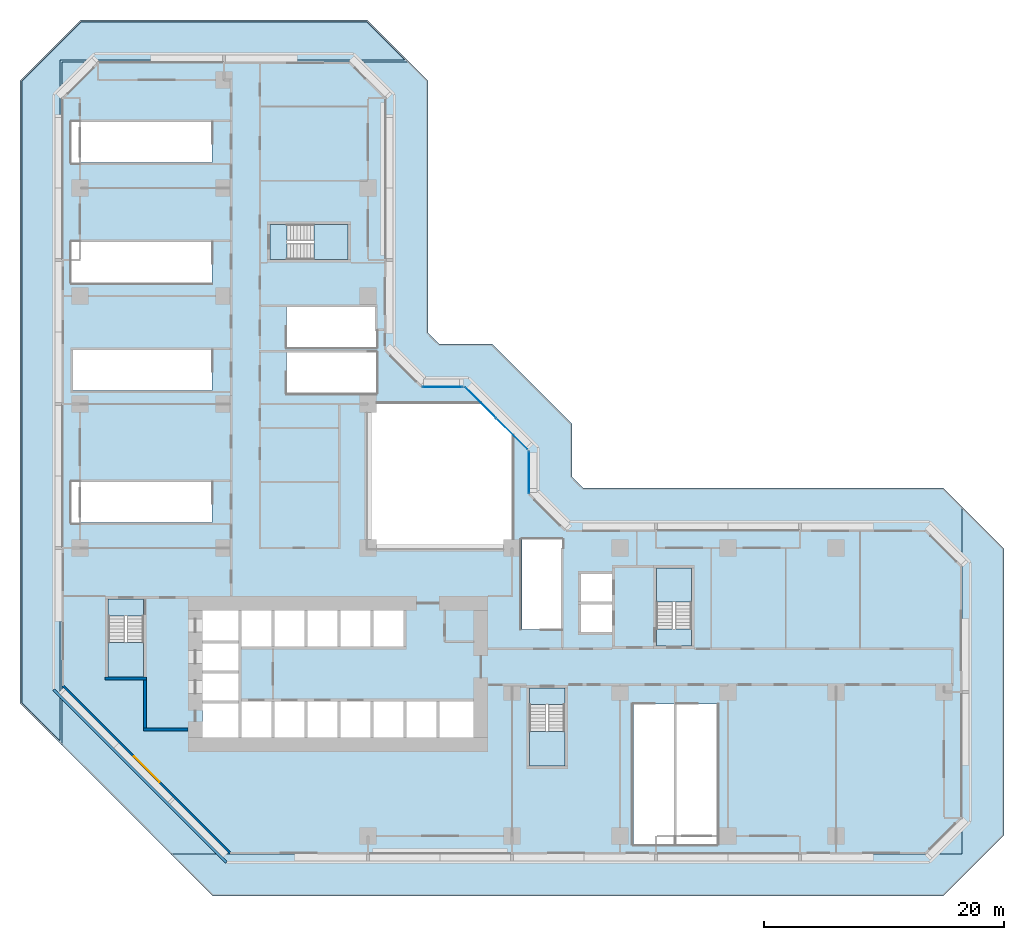
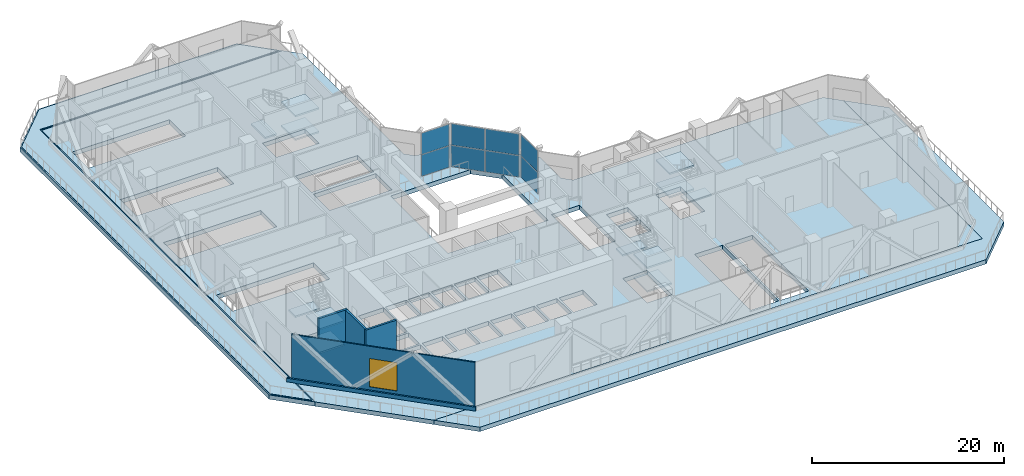
# One storey, part 3 of 16: 16 slabs, 8 plates, 5 walls, 1 window, 1 opening, 7 elements without a shape of their own.
"""IFC4 building model written with IfcOpenShell, lengths in metres."""

from ifc_helpers import new_model, si_unit, direction, frame, frame_2d, origin, origin_2d, place, context, subcontext, project, spatial, polyline, rectangle, outline, extrude, material, layer, layer_set, type_object, element, fill, aggregate, save


model = new_model("IFC4")

# Units and contexts
model_context = context("Model", 3, precision=1e-05, world=origin(), true_north=direction((0.0, 1.0)))
body_context = subcontext(model_context, "Body", "Model", "MODEL_VIEW")
ifc_project = project(units=[si_unit("LENGTHUNIT", "METRE"), si_unit("AREAUNIT", "SQUARE_METRE"), si_unit("VOLUMEUNIT", "CUBIC_METRE"), si_unit("PLANEANGLEUNIT", "RADIAN"), si_unit("MASSUNIT", "GRAM", prefix="KILO")], contexts=[model_context])

# Site, building, storey
site_placement = place(None, origin())
site = spatial("IfcSite", under=ifc_project, at=site_placement, CompositionType="ELEMENT")
building_placement = place(site_placement, origin())
building = spatial("IfcBuilding", under=site, at=building_placement, Name="Chenar Terraces", CompositionType="ELEMENT")
storey_placement = place(building_placement, frame((0.0, 0.0, 35.39990234375)))
storey = spatial("IfcBuildingStorey", under=building, at=storey_placement, Name="L06", CompositionType="ELEMENT", Elevation=35.39990234375)

# Curtain wall, plates
ifc_material_1 = material(Name="Aluminium framed glazing", Category="aluminium")
ifc_layer_1 = layer(ifc_material_1, 0.14990234375)
ifc_layer_set_1 = layer_set([ifc_layer_1], Name="Aluminium framed glazing")
curtain_wall_type = type_object("IfcCurtainWallType", Name="Atrium curtain wall", PredefinedType="NOTDEFINED", material=ifc_layer_set_1)
placement_1 = place(storey_placement, origin())
curtain_wall_1 = element("IfcCurtainWall", 1, at=placement_1, inside=storey, type_object=curtain_wall_type, Name="Atrium curtain wall", PredefinedType="NOTDEFINED")
ifc_material_2 = material(Name="Low emissivity laminated glass, solar control coating", Category="glass")
ifc_layer_2 = layer(ifc_material_2, 0.028076171875)
ifc_layer_set_2 = layer_set([ifc_layer_2], Name="Low emissivity laminated glass, solar control coating")
plate_type = type_object("IfcPlateType", Name="Atrium glazing panel 28", PredefinedType="CURTAIN_PANEL", material=ifc_layer_set_2)
plate_1_placement = place(storey_placement, frame((37.425048828125, 30.300048828125, 0.06005859375), z_axis=(0.0, 0.0, 1.0), x_axis=(0.0, 1.0, 0.0)))
plate_1 = element("IfcPlate", 2, at=plate_1_placement, type_object=plate_type, Name="CW1-1 panel 1.1", PredefinedType="CURTAIN_PANEL", context=body_context, shape_type="SweptSolid", body=[
    extrude(rectangle(XDim=3.47998046875, YDim=0.028076171875, at=origin_2d()), origin(), (0.0, 0.0, 1.0), 2.7099609375),
])
plate_2_placement = place(storey_placement, frame((37.425048828125, 30.300048828125, 2.830078125), z_axis=(0.0, 0.0, 1.0), x_axis=(0.0, 1.0, 0.0)))
plate_2 = element("IfcPlate", 3, at=plate_2_placement, type_object=plate_type, Name="CW1-1 panel 1.2", PredefinedType="CURTAIN_PANEL", context=body_context, shape_type="SweptSolid", body=[
    extrude(rectangle(XDim=3.47998046875, YDim=0.028076171875, at=origin_2d()), origin(), (0.0, 0.0, 1.0), 2.7099609375),
])
aggregate(curtain_wall_1, [plate_1, plate_2])

curtain_wall_2 = element("IfcCurtainWall", 4, at=placement_1, inside=storey, type_object=curtain_wall_type, Name="Atrium curtain wall", PredefinedType="NOTDEFINED")
plate_3_placement = place(storey_placement, frame((35.980224609375, 33.513671875, 0.06005859375), z_axis=(0.0, 0.0, 1.0), x_axis=(-0.707106781187, 0.707106781187, 0.0)))
plate_3 = element("IfcPlate", 5, at=plate_3_placement, type_object=plate_type, Name="CW1-2 panel 1.1", PredefinedType="CURTAIN_PANEL", context=body_context, shape_type="SweptSolid", body=[
    extrude(rectangle(XDim=3.62841796875, YDim=0.028076171875, at=origin_2d()), origin(), (0.0, 0.0, 1.0), 2.7099609375),
])
plate_4_placement = place(storey_placement, frame((35.980224609375, 33.513671875, 2.830078125), z_axis=(0.0, 0.0, 1.0), x_axis=(-0.707106781187, 0.707106781187, 0.0)))
plate_4 = element("IfcPlate", 6, at=plate_4_placement, type_object=plate_type, Name="CW1-2 panel 1.2", PredefinedType="CURTAIN_PANEL", context=body_context, shape_type="SweptSolid", body=[
    extrude(rectangle(XDim=3.62841796875, YDim=0.028076171875, at=origin_2d()), origin(), (0.0, 0.0, 1.0), 2.7099609375),
])
plate_5_placement = place(storey_placement, frame((33.3720703125, 36.121826171875, 0.06005859375), z_axis=(0.0, 0.0, 1.0), x_axis=(-0.707106781187, 0.707106781187, 0.0)))
plate_5 = element("IfcPlate", 7, at=plate_5_placement, type_object=plate_type, Name="CW1-2 panel 2.1", PredefinedType="CURTAIN_PANEL", context=body_context, shape_type="SweptSolid", body=[
    extrude(rectangle(XDim=3.62841796875, YDim=0.028076171875, at=origin_2d()), origin(), (0.0, 0.0, 1.0), 2.7099609375),
])
plate_6_placement = place(storey_placement, frame((33.3720703125, 36.121826171875, 2.830078125), z_axis=(0.0, 0.0, 1.0), x_axis=(-0.707106781187, 0.707106781187, 0.0)))
plate_6 = element("IfcPlate", 8, at=plate_6_placement, type_object=plate_type, Name="CW1-2 panel 2.2", PredefinedType="CURTAIN_PANEL", context=body_context, shape_type="SweptSolid", body=[
    extrude(rectangle(XDim=3.62841796875, YDim=0.028076171875, at=origin_2d()), origin(), (0.0, 0.0, 1.0), 2.7099609375),
])
aggregate(curtain_wall_2, [plate_3, plate_4, plate_5, plate_6])

curtain_wall_3 = element("IfcCurtainWall", 9, at=placement_1, inside=storey, type_object=curtain_wall_type, Name="Atrium curtain wall", PredefinedType="NOTDEFINED")
plate_7_placement = place(storey_placement, frame((30.199951171875, 37.425048828125, 0.06005859375), z_axis=(0.0, 0.0, 1.0), x_axis=(-1.0, 0.0, 0.0)))
plate_7 = element("IfcPlate", 10, at=plate_7_placement, type_object=plate_type, Name="CW1-3 panel 1.1", PredefinedType="CURTAIN_PANEL", context=body_context, shape_type="SweptSolid", body=[
    extrude(rectangle(XDim=3.280029296875, YDim=0.028076171875, at=origin_2d()), origin(), (0.0, 0.0, 1.0), 2.7099609375),
])
plate_8_placement = place(storey_placement, frame((30.199951171875, 37.425048828125, 2.830078125), z_axis=(0.0, 0.0, 1.0), x_axis=(-1.0, 0.0, 0.0)))
plate_8 = element("IfcPlate", 11, at=plate_8_placement, type_object=plate_type, Name="CW1-3 panel 1.2", PredefinedType="CURTAIN_PANEL", context=body_context, shape_type="SweptSolid", body=[
    extrude(rectangle(XDim=3.280029296875, YDim=0.028076171875, at=origin_2d()), origin(), (0.0, 0.0, 1.0), 2.7099609375),
])
aggregate(curtain_wall_3, [plate_7, plate_8])

# Stair, slabs
ifc_material_3 = material(Name="Reinforced concrete C40/50", Category="concrete")
stair_type = type_object("IfcStairType", Name="Core stair 1400 half-turn", PredefinedType="HALF_TURN_STAIR", material=ifc_material_3)
stair_1 = element("IfcStair", 12, at=placement_1, inside=storey, type_object=stair_type, Name="L06 Stair 1", PredefinedType="HALF_TURN_STAIR")
ifc_material_4 = material(Name="Reinforced concrete C40/50", Category="concrete")
ifc_layer_3 = layer(ifc_material_4, 0.199951171875)
ifc_layer_set_3 = layer_set([ifc_layer_3], Name="Reinforced concrete C40/50")
slab_type_1 = type_object("IfcSlabType", Name="Core stair landing 200", PredefinedType="LANDING", material=ifc_layer_set_3)
placement_2 = place(storey_placement, frame((0.0, 0.0, 1.300048828125)))
slab_1 = element("IfcSlab", 13, at=placement_2, type_object=slab_type_1, Name="ST1 landing 1", PredefinedType="LANDING", context=body_context, shape_type="SweptSolid", body=[
    extrude(outline(polyline([(2.35009765625, 16.110107421875), (2.35009765625, 13.25), (5.300048828125, 13.25), (5.300048828125, 16.110107421875), (2.35009765625, 16.110107421875)])), origin(), (0.0, 0.0, 1.0), 0.199951171875),
])
placement_3 = place(storey_placement, frame((0.0, 0.0, 2.800048828125)))
slab_2 = element("IfcSlab", 14, at=placement_3, type_object=slab_type_1, Name="ST1 landing 2", PredefinedType="LANDING", context=body_context, shape_type="SweptSolid", body=[
    extrude(outline(polyline([(2.35009765625, 19.75), (2.35009765625, 18.35009765625), (5.300048828125, 18.35009765625), (5.300048828125, 19.75), (2.35009765625, 19.75)])), origin(), (0.0, 0.0, 1.0), 0.199951171875),
])
placement_4 = place(storey_placement, frame((0.0, 0.0, 4.300048828125)))
slab_3 = element("IfcSlab", 15, at=placement_4, type_object=slab_type_1, Name="ST1 landing 3", PredefinedType="LANDING", context=body_context, shape_type="SweptSolid", body=[
    extrude(outline(polyline([(2.35009765625, 16.110107421875), (2.35009765625, 13.25), (5.300048828125, 13.25), (5.300048828125, 16.110107421875), (2.35009765625, 16.110107421875)])), origin(), (0.0, 0.0, 1.0), 0.199951171875),
])
aggregate(stair_1, [slab_1, slab_2, slab_3])

stair_2 = element("IfcStair", 16, at=placement_1, inside=storey, type_object=stair_type, Name="L06 Stair 2", PredefinedType="HALF_TURN_STAIR")
slab_4 = element("IfcSlab", 17, at=placement_2, type_object=slab_type_1, Name="ST2 landing 1", PredefinedType="LANDING", context=body_context, shape_type="SweptSolid", body=[
    extrude(outline(polyline([(37.449951171875, 8.7099609375), (37.449951171875, 5.85009765625), (40.39990234375, 5.85009765625), (40.39990234375, 8.7099609375), (37.449951171875, 8.7099609375)])), origin(), (0.0, 0.0, 1.0), 0.199951171875),
])
slab_5 = element("IfcSlab", 18, at=placement_3, type_object=slab_type_1, Name="ST2 landing 2", PredefinedType="LANDING", context=body_context, shape_type="SweptSolid", body=[
    extrude(outline(polyline([(37.449951171875, 12.35009765625), (37.449951171875, 10.949951171875), (40.39990234375, 10.949951171875), (40.39990234375, 12.35009765625), (37.449951171875, 12.35009765625)])), origin(), (0.0, 0.0, 1.0), 0.199951171875),
])
slab_6 = element("IfcSlab", 19, at=placement_4, type_object=slab_type_1, Name="ST2 landing 3", PredefinedType="LANDING", context=body_context, shape_type="SweptSolid", body=[
    extrude(outline(polyline([(37.449951171875, 8.7099609375), (37.449951171875, 5.85009765625), (40.39990234375, 5.85009765625), (40.39990234375, 8.7099609375), (37.449951171875, 8.7099609375)])), origin(), (0.0, 0.0, 1.0), 0.199951171875),
])
aggregate(stair_2, [slab_4, slab_5, slab_6])

stair_3 = element("IfcStair", 20, at=placement_1, inside=storey, type_object=stair_type, Name="L06 Stair 3", PredefinedType="HALF_TURN_STAIR")
slab_7 = element("IfcSlab", 21, at=placement_2, type_object=slab_type_1, Name="ST3 landing 1", PredefinedType="LANDING", context=body_context, shape_type="SweptSolid", body=[
    extrude(outline(polyline([(50.97509765625, 19.489990234375), (50.97509765625, 22.35009765625), (48.02490234375, 22.35009765625), (48.02490234375, 19.489990234375), (50.97509765625, 19.489990234375)])), origin(), (0.0, 0.0, 1.0), 0.199951171875),
])
slab_8 = element("IfcSlab", 22, at=placement_3, type_object=slab_type_1, Name="ST3 landing 2", PredefinedType="LANDING", context=body_context, shape_type="SweptSolid", body=[
    extrude(outline(polyline([(50.97509765625, 15.85009765625), (50.97509765625, 17.25), (48.02490234375, 17.25), (48.02490234375, 15.85009765625), (50.97509765625, 15.85009765625)])), origin(), (0.0, 0.0, 1.0), 0.199951171875),
])
slab_9 = element("IfcSlab", 23, at=placement_4, type_object=slab_type_1, Name="ST3 landing 3", PredefinedType="LANDING", context=body_context, shape_type="SweptSolid", body=[
    extrude(outline(polyline([(50.97509765625, 19.489990234375), (50.97509765625, 22.35009765625), (48.02490234375, 22.35009765625), (48.02490234375, 19.489990234375), (50.97509765625, 19.489990234375)])), origin(), (0.0, 0.0, 1.0), 0.199951171875),
])
aggregate(stair_3, [slab_7, slab_8, slab_9])

stair_4 = element("IfcStair", 24, at=placement_1, inside=storey, type_object=stair_type, Name="L06 Stair 4", PredefinedType="HALF_TURN_STAIR")
slab_10 = element("IfcSlab", 25, at=placement_2, type_object=slab_type_1, Name="ST4 landing 1", PredefinedType="LANDING", context=body_context, shape_type="SweptSolid", body=[
    extrude(outline(polyline([(19.489990234375, 48.02490234375), (22.35009765625, 48.02490234375), (22.35009765625, 50.97509765625), (19.489990234375, 50.97509765625), (19.489990234375, 48.02490234375)])), origin(), (0.0, 0.0, 1.0), 0.199951171875),
])
slab_11 = element("IfcSlab", 26, at=placement_3, type_object=slab_type_1, Name="ST4 landing 2", PredefinedType="LANDING", context=body_context, shape_type="SweptSolid", body=[
    extrude(outline(polyline([(15.85009765625, 48.02490234375), (17.25, 48.02490234375), (17.25, 50.97509765625), (15.85009765625, 50.97509765625), (15.85009765625, 48.02490234375)])), origin(), (0.0, 0.0, 1.0), 0.199951171875),
])
slab_12 = element("IfcSlab", 27, at=placement_4, type_object=slab_type_1, Name="ST4 landing 3", PredefinedType="LANDING", context=body_context, shape_type="SweptSolid", body=[
    extrude(outline(polyline([(19.489990234375, 48.02490234375), (22.35009765625, 48.02490234375), (22.35009765625, 50.97509765625), (19.489990234375, 50.97509765625), (19.489990234375, 48.02490234375)])), origin(), (0.0, 0.0, 1.0), 0.199951171875),
])
aggregate(stair_4, [slab_10, slab_11, slab_12])

# Slabs
ifc_material_5 = material(Name="Concrete C40/50", Category="concrete")
ifc_layer_4 = layer(ifc_material_5, 0.550048828125)
ifc_layer_set_4 = layer_set([ifc_layer_4], Name="Concrete C40/50")
slab_type_2 = type_object("IfcSlabType", Name="Floor slab 550 Concrete C40/50", PredefinedType="FLOOR", material=ifc_layer_set_4)
placement_5 = place(storey_placement, frame((0.0, 0.0, -0.5498046875)))
element("IfcSlab", 28, at=placement_5, inside=storey, type_object=slab_type_2, Name="Floor slab L06", PredefinedType="FLOOR", context=body_context, shape_type="SweptSolid", body=[
    extrude(outline(polyline([(-1.498046875, 12.498046875), (-1.498046875, 61.501953125), (-1.5, 61.5), (-1.5, 64.5), (1.5, 64.5), (1.498046875, 64.498046875), (22.501953125, 64.498046875), (22.5, 64.5), (27.44970703125, 64.5), (29.0, 62.94970703125), (29.0, 41.94970703125), (29.94970703125, 41.0), (34.349609375, 41.0), (41.0, 34.349609375), (41.0, 29.94970703125), (41.94970703125, 29.0), (71.94970703125, 29.0), (73.5, 27.44970703125), (73.5, 22.5), (73.498046875, 22.501953125), (73.498046875, 1.498046875), (73.5, 1.5), (73.5, -1.5), (70.5, -1.5), (70.501953125, -1.498046875), (12.498046875, -1.498046875), (12.5, -1.5), (7.55029296875, -1.5), (-1.5, 7.55029296875), (-1.5, 12.5), (-1.498046875, 12.498046875)]), holes=[polyline([(13.199951171875, 8.199951171875), (13.199951171875, 11.050048828125), (10.199951171875, 11.050048828125), (10.199951171875, 8.199951171875), (13.199951171875, 8.199951171875)]), polyline([(15.949951171875, 8.199951171875), (15.949951171875, 11.199951171875), (13.449951171875, 11.199951171875), (13.449951171875, 8.199951171875), (15.949951171875, 8.199951171875)]), polyline([(18.699951171875, 8.199951171875), (18.699951171875, 11.199951171875), (16.199951171875, 11.199951171875), (16.199951171875, 8.199951171875), (18.699951171875, 8.199951171875)]), polyline([(21.449951171875, 8.199951171875), (21.449951171875, 11.199951171875), (18.949951171875, 11.199951171875), (18.949951171875, 8.199951171875), (21.449951171875, 8.199951171875)]), polyline([(13.199951171875, 11.300048828125), (13.199951171875, 13.550048828125), (10.199951171875, 13.550048828125), (10.199951171875, 11.300048828125), (13.199951171875, 11.300048828125)]), polyline([(13.199951171875, 13.800048828125), (13.199951171875, 16.050048828125), (10.199951171875, 16.050048828125), (10.199951171875, 13.800048828125), (13.199951171875, 13.800048828125)]), polyline([(2.35009765625, 18.35009765625), (2.35009765625, 13.25), (5.300048828125, 13.25), (5.300048828125, 18.35009765625), (2.35009765625, 18.35009765625)]), polyline([(15.949951171875, 15.800048828125), (15.949951171875, 18.800048828125), (13.449951171875, 18.800048828125), (13.449951171875, 15.800048828125), (15.949951171875, 15.800048828125)]), polyline([(18.699951171875, 15.800048828125), (18.699951171875, 18.800048828125), (16.199951171875, 18.800048828125), (16.199951171875, 15.800048828125), (18.699951171875, 15.800048828125)]), polyline([(21.449951171875, 15.800048828125), (21.449951171875, 18.800048828125), (18.949951171875, 18.800048828125), (18.949951171875, 15.800048828125), (21.449951171875, 15.800048828125)]), polyline([(13.199951171875, 16.300048828125), (13.199951171875, 18.800048828125), (10.199951171875, 18.800048828125), (10.199951171875, 16.300048828125), (13.199951171875, 16.300048828125)]), polyline([(10.985107421875, 29.489990234375), (-0.699951171875, 29.489990234375), (-0.699951171875, 26.110107421875), (10.985107421875, 26.110107421875), (10.985107421875, 29.489990234375)]), polyline([(10.985107421875, 40.489990234375), (-0.699951171875, 40.489990234375), (-0.699951171875, 37.110107421875), (10.985107421875, 37.110107421875), (10.985107421875, 40.489990234375)]), polyline([(10.985107421875, 49.489990234375), (-0.699951171875, 49.489990234375), (-0.699951171875, 46.110107421875), (10.985107421875, 46.110107421875), (10.985107421875, 49.489990234375)]), polyline([(17.25, 48.02490234375), (22.35009765625, 48.02490234375), (22.35009765625, 50.97509765625), (17.25, 50.97509765625), (17.25, 48.02490234375)]), polyline([(10.985107421875, 59.489990234375), (-0.699951171875, 59.489990234375), (-0.699951171875, 56.110107421875), (10.985107421875, 56.110107421875), (10.985107421875, 59.489990234375)]), polyline([(46.110107421875, 10.985107421875), (46.110107421875, -0.699951171875), (49.489990234375, -0.699951171875), (49.489990234375, 10.985107421875), (46.110107421875, 10.985107421875)]), polyline([(49.7099609375, 10.985107421875), (49.7099609375, -0.699951171875), (53.090087890625, -0.699951171875), (53.090087890625, 10.985107421875), (49.7099609375, 10.985107421875)]), polyline([(37.449951171875, 10.949951171875), (37.449951171875, 5.85009765625), (40.39990234375, 5.85009765625), (40.39990234375, 10.949951171875), (37.449951171875, 10.949951171875)]), polyline([(24.199951171875, 8.199951171875), (24.199951171875, 11.199951171875), (21.699951171875, 11.199951171875), (21.699951171875, 8.199951171875), (24.199951171875, 8.199951171875)]), polyline([(26.949951171875, 8.199951171875), (26.949951171875, 11.199951171875), (24.449951171875, 11.199951171875), (24.449951171875, 8.199951171875), (26.949951171875, 8.199951171875)]), polyline([(29.699951171875, 8.199951171875), (29.699951171875, 11.199951171875), (27.199951171875, 11.199951171875), (27.199951171875, 8.199951171875), (29.699951171875, 8.199951171875)]), polyline([(32.800048828125, 8.199951171875), (32.800048828125, 11.199951171875), (29.949951171875, 11.199951171875), (29.949951171875, 8.199951171875), (32.800048828125, 8.199951171875)]), polyline([(24.199951171875, 15.800048828125), (24.199951171875, 18.800048828125), (21.699951171875, 18.800048828125), (21.699951171875, 15.800048828125), (24.199951171875, 15.800048828125)]), polyline([(26.949951171875, 15.800048828125), (26.949951171875, 18.800048828125), (24.449951171875, 18.800048828125), (24.449951171875, 15.800048828125), (26.949951171875, 15.800048828125)]), polyline([(44.35009765625, 17.0), (44.35009765625, 19.300048828125), (41.75, 19.300048828125), (41.75, 17.0), (44.35009765625, 17.0)]), polyline([(50.97509765625, 17.25), (50.97509765625, 22.35009765625), (48.02490234375, 22.35009765625), (48.02490234375, 17.25), (50.97509765625, 17.25)]), polyline([(44.35009765625, 19.550048828125), (44.35009765625, 21.85009765625), (41.75, 21.85009765625), (41.75, 19.550048828125), (44.35009765625, 19.550048828125)]), polyline([(40.175048828125, 17.199951171875), (40.175048828125, 24.699951171875), (36.824951171875, 24.699951171875), (36.824951171875, 17.199951171875), (40.175048828125, 17.199951171875)]), polyline([(36.0, 33.60009765625), (33.60009765625, 36.0), (24.0, 36.0), (24.0, 24.0), (36.0, 24.0), (36.0, 33.60009765625)]), polyline([(17.215087890625, 36.909912109375), (24.699951171875, 36.909912109375), (24.699951171875, 40.2900390625), (17.215087890625, 40.2900390625), (17.215087890625, 36.909912109375)]), polyline([(17.215087890625, 40.7099609375), (24.699951171875, 40.7099609375), (24.699951171875, 44.090087890625), (17.215087890625, 44.090087890625), (17.215087890625, 40.7099609375)])]), origin(), (0.0, 0.0, 1.0), 0.5498046875),
])
ifc_material_6 = material(Name="Limestone paving", Category="masonry")
ifc_layer_5 = layer(ifc_material_6, 0.050048828125)
ifc_layer_set_5 = layer_set([ifc_layer_5], Name="Limestone paving")
slab_type_3 = type_object("IfcSlabType", Name="Terrace paving 50", PredefinedType="USERDEFINED", material=ifc_layer_set_5)
element("IfcSlab", 29, at=placement_1, inside=storey, type_object=slab_type_3, Name="Terrace paving", ObjectType="PAVING", PredefinedType="USERDEFINED", context=body_context, shape_type="SweptSolid", body=[
    extrude(outline(polyline([(-4.85009765625, 11.112548828125), (-4.85009765625, 62.887451171875), (0.112548828125, 67.85009765625), (23.887451171875, 67.85009765625), (27.087646484375, 64.64990234375), (-1.64990234375, 64.64990234375), (-1.64990234375, 7.912353515625), (-4.85009765625, 11.112548828125)])), origin(), (0.0, 0.0, 1.0), 0.050048828125),
])
ifc_material_7 = material(Name="Concrete C40/50", Category="concrete")
ifc_layer_6 = layer(ifc_material_7, 0.550048828125)
ifc_layer_set_6 = layer_set([ifc_layer_6], Name="Concrete C40/50")
slab_type_4 = type_object("IfcSlabType", Name="Terrace slab 550 Concrete C40/50", PredefinedType="FLOOR", material=ifc_layer_set_6)
element("IfcSlab", 30, at=placement_5, inside=storey, type_object=slab_type_4, Name="Terrace slab L06", PredefinedType="FLOOR", context=body_context, shape_type="SweptSolid", body=[
    extrude(outline(polyline([(71.94970703125, -5.0), (11.05029296875, -5.0), (7.55029296875, -1.5), (12.5, -1.5), (70.5, -1.5), (73.5, -1.5), (73.5, 1.5), (73.5, 22.5), (73.5, 27.44970703125), (77.0, 23.94970703125), (77.0, 0.05029296875), (71.94970703125, -5.0)])), origin(), (0.0, 0.0, 1.0), 0.5498046875),
])
element("IfcSlab", 31, at=placement_5, inside=storey, type_object=slab_type_4, Name="Terrace slab L06 2.1", PredefinedType="FLOOR", context=body_context, shape_type="SweptSolid", body=[
    extrude(outline(polyline([(-5.0, 11.05029296875), (-5.0, 62.94970703125), (0.05029296875, 68.0), (23.94970703125, 68.0), (27.44970703125, 64.5), (22.5, 64.5), (1.5, 64.5), (-1.5, 64.5), (-1.5, 61.5), (-1.5, 12.5), (-1.5, 7.55029296875), (-5.0, 11.05029296875)])), origin(), (0.0, 0.0, 1.0), 0.5498046875),
])

# Walls
ifc_material_8 = material(Name="Concrete C70/85", Category="concrete")
ifc_layer_7 = layer(ifc_material_8, 0.25)
ifc_layer_set_7 = layer_set([ifc_layer_7], Name="Concrete C70/85")
wall_type_1 = type_object("IfcWallType", Name="Core wall 250 Concrete C70/85", PredefinedType="SHEAR", material=ifc_layer_set_7)
wall_1_placement = place(storey_placement, frame((2.10009765625, 13.125, 0.0), z_axis=(0.0, 0.0, 1.0), x_axis=(1.0, 0.0, 0.0)))
element("IfcWall", 32, at=wall_1_placement, inside=storey, type_object=wall_type_1, Name="Core wall ST1_S L06", PredefinedType="SHEAR", context=body_context, shape_type="SweptSolid", body=[
    extrude(rectangle(XDim=3.449951171875, YDim=0.25, at=frame_2d((1.72509765625, 0.0))), origin(), (0.0, 0.0, 1.0), 6.0),
])
wall_2_placement = place(storey_placement, frame((5.300048828125, 8.875, 0.0), z_axis=(0.0, 0.0, 1.0), x_axis=(1.0, 0.0, 0.0)))
element("IfcWall", 33, at=wall_2_placement, inside=storey, type_object=wall_type_1, Name="Core wall FFL_S L06", PredefinedType="SHEAR", context=body_context, shape_type="SweptSolid", body=[
    extrude(rectangle(XDim=3.699951171875, YDim=0.25, at=frame_2d((1.85009765625, 0.0))), origin(), (0.0, 0.0, 1.0), 6.0),
])
wall_3_placement = place(storey_placement, frame((5.425048828125, 9.0, 0.0), z_axis=(0.0, 0.0, 1.0), x_axis=(0.0, 1.0, 0.0)))
element("IfcWall", 34, at=wall_3_placement, inside=storey, type_object=wall_type_1, Name="Core wall FFL_W L06", PredefinedType="SHEAR", context=body_context, shape_type="SweptSolid", body=[
    extrude(rectangle(XDim=4.0, YDim=0.25, at=frame_2d((2.0, 0.0))), origin(), (0.0, 0.0, 1.0), 6.0),
])
ifc_material_9 = material(Name="Terracotta cladding on insulated backing", Category="masonry")
ifc_layer_8 = layer(ifc_material_9, 0.199951171875)
ifc_layer_set_8 = layer_set([ifc_layer_8], Name="Terracotta cladding on insulated backing")
wall_type_2 = type_object("IfcWallType", Name="Terrace parapet upstand 200", PredefinedType="PARAPET", material=ifc_layer_set_8)
wall_4_placement = place(storey_placement, frame((12.2099609375, -2.199951171875, 0.0), z_axis=(0.0, 0.0, 1.0), x_axis=(-0.707106781187, 0.707106781187, 0.0)))
element("IfcWall", 35, at=wall_4_placement, inside=storey, type_object=wall_type_2, Name="Terrace parapet", PredefinedType="PARAPET", context=body_context, shape_type="SweptSolid", body=[
    extrude(rectangle(XDim=20.378662109375, YDim=0.199951171875, at=frame_2d((10.189453125, 0.0))), origin(), (0.0, 0.0, 1.0), 0.5),
])

# Wall, opening, window
ifc_material_10 = material(Name="Terracotta cladding on insulated backing", Category="masonry")
ifc_layer_9 = layer(ifc_material_10, 0.14990234375)
ifc_layer_set_9 = layer_set([ifc_layer_9], Name="Terracotta cladding on insulated backing")
wall_type_3 = type_object("IfcWallType", Name="Terracotta rainscreen wall 150", PredefinedType="SOLIDWALL", material=ifc_layer_set_9)
wall_5_placement = place(storey_placement, frame((-1.447021484375, 12.552978515625, 0.0), z_axis=(0.0, 0.0, 1.0), x_axis=(0.707106781187, -0.707106781187, 0.0)))
wall_5 = element("IfcWall", 36, at=wall_5_placement, inside=storey, type_object=wall_type_3, Name="Terracotta rainscreen wall", PredefinedType="SOLIDWALL", context=body_context, shape_type="SweptSolid", body=[
    extrude(rectangle(XDim=19.799072265625, YDim=0.14990234375, at=frame_2d((9.8994140625, 0.0))), origin(), (0.0, 0.0, 1.0), 5.60009765625),
])
opening_placement = place(wall_5_placement, frame((8.3994140625, 0.0, 0.449951171875)))
opening = element("IfcOpeningElement", 37, at=opening_placement, cuts=wall_5, Name="Opening W300x360", PredefinedType="OPENING", context=body_context, shape_type="SweptSolid", body=[
    extrude(rectangle(XDim=3.0, YDim=3.60009765625, at=frame_2d((1.5, 1.800048828125))), frame((0.0, 0.0849609375, 0.0), z_axis=(0.0, -1.0, 0.0), x_axis=(1.0, 0.0, 0.0)), (0.0, 0.0, 1.0), 0.169921875),
])
ifc_material_11 = material(Name="Low emissivity double glazing, aluminium frame", Category="aluminium")
window_type = type_object("IfcWindowType", Name="Fixed light 3000 x 3600", PartitioningType="SINGLE_PANEL", PredefinedType="WINDOW", material=ifc_material_11)
window_placement = place(opening_placement, origin())
window = element("IfcWindow", 38, at=window_placement, inside=storey, type_object=window_type, Name="Window", OverallHeight=3.60009765625, OverallWidth=3.0, PartitioningType="SINGLE_PANEL", PredefinedType="WINDOW", context=body_context, shape_type="SweptSolid", body=[
    extrude(rectangle(XDim=3.0, YDim=3.60009765625, at=frame_2d((1.5, 1.800048828125))), frame((0.0, 0.030029296875, 0.0), z_axis=(0.0, -1.0, 0.0), x_axis=(1.0, 0.0, 0.0)), (0.0, 0.0, 1.0), 0.06005859375),
])
fill(opening, window)

save(model, "model.ifc")
